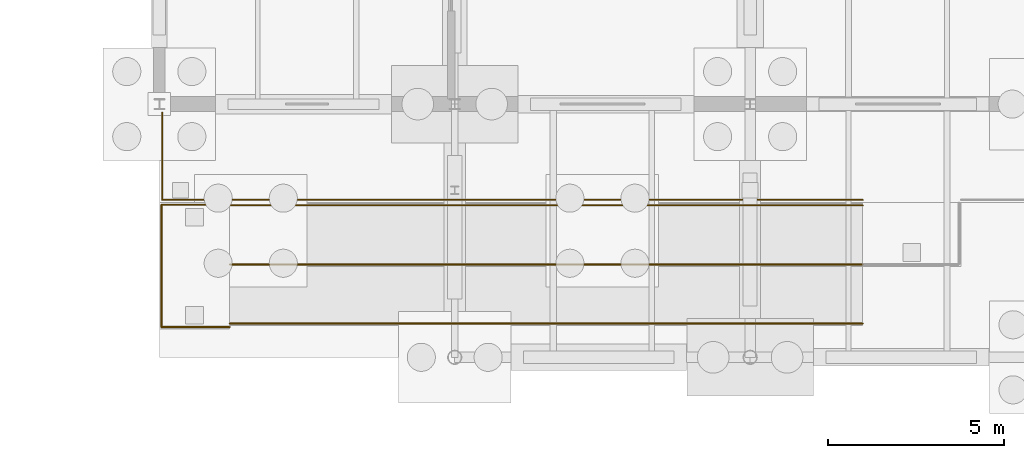
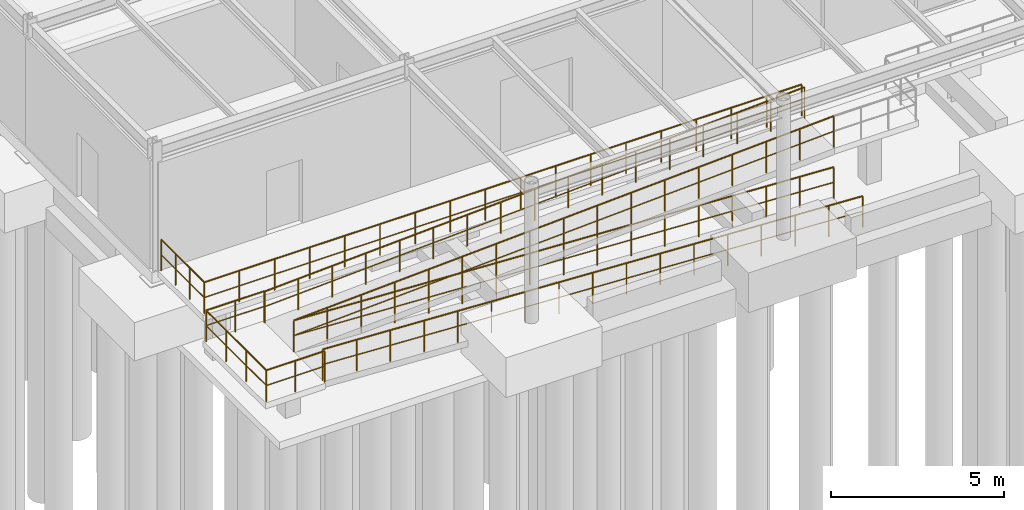
# One storey, part 73 of 93: 7 railings.
"""IFC4 building model written with IfcOpenShell, lengths in metres."""

from ifc_helpers import new_model, si_unit, derived_unit, direction, frame, origin, origin_2d, place, context, subcontext, project, spatial, circle, extrude, material, type_object, element, save


model = new_model("IFC4")

# Units and contexts
model_context = context("Model", 3, precision=1e-05, world=origin(), true_north=direction((0.0, 1.0)))
body_context = subcontext(model_context, "Body", "Model", "MODEL_VIEW")
ifc_project = project(units=[si_unit("LENGTHUNIT", "METRE"), si_unit("AREAUNIT", "SQUARE_METRE"), si_unit("VOLUMEUNIT", "CUBIC_METRE"), si_unit("PLANEANGLEUNIT", "RADIAN"), si_unit("MASSUNIT", "GRAM", prefix="KILO"), derived_unit("THERMALTRANSMITTANCEUNIT", [(si_unit("MASSUNIT", "GRAM", prefix="KILO"), 1), (si_unit("TIMEUNIT", "SECOND"), -3), (si_unit("THERMODYNAMICTEMPERATUREUNIT", "KELVIN"), -1)])], contexts=[model_context])

# Site, building, storey
site_placement = place(None, origin())
site = spatial("IfcSite", under=ifc_project, at=site_placement, CompositionType="ELEMENT")
building_placement = place(site_placement, origin())
building = spatial("IfcBuilding", under=site, at=building_placement, Name="Kharveza Railside Sports Centre", CompositionType="ELEMENT")
storey_placement = place(building_placement, origin())
storey = spatial("IfcBuildingStorey", under=building, at=storey_placement, Name="L00", CompositionType="ELEMENT", Elevation=0.0)

# Railings
ifc_material = material(Name="Steel S275JR", Category="steel")
railing_type = type_object("IfcRailingType", Name="RL-GD110", PredefinedType="GUARDRAIL", material=ifc_material)
railing_1_placement = place(storey_placement, frame((75.679931640625, 4.47998046875, 0.0)))
element("IfcRailing", 1, at=railing_1_placement, inside=storey, type_object=railing_type, Name="RL-PLINTH-S-1", PredefinedType="GUARDRAIL", context=body_context, shape_type="SweptSolid", body=[
    extrude(circle(Radius=0.02392578125, at=origin_2d()), frame((0.0, 0.0, 1.09619140625), z_axis=(1.0, 0.0, 0.0), x_axis=(0.0, 1.0, 0.0)), (0.0, 0.0, 1.0), 19.920166015625),
    extrude(circle(Radius=0.01611328125, at=origin_2d()), frame((0.0, 0.0, 0.56005859375), z_axis=(1.0, 0.0, 0.0), x_axis=(0.0, 1.0, 0.0)), (0.0, 0.0, 1.0), 19.920166015625),
    extrude(circle(Radius=0.02099609375, at=origin_2d()), origin(), (0.0, 0.0, 1.0), 1.072021484375),
    extrude(circle(Radius=0.02099609375, at=origin_2d()), frame((1.171875, 0.0, 0.0)), (0.0, 0.0, 1.0), 1.072021484375),
    extrude(circle(Radius=0.02099609375, at=origin_2d()), frame((2.343505859375, 0.0, 0.0)), (0.0, 0.0, 1.0), 1.072021484375),
    extrude(circle(Radius=0.02099609375, at=origin_2d()), frame((3.515380859375, 0.0, 0.0)), (0.0, 0.0, 1.0), 1.072021484375),
    extrude(circle(Radius=0.02099609375, at=origin_2d()), frame((4.68701171875, 0.0, 0.0)), (0.0, 0.0, 1.0), 1.072021484375),
    extrude(circle(Radius=0.02099609375, at=origin_2d()), frame((5.85888671875, 0.0, 0.0)), (0.0, 0.0, 1.0), 1.072021484375),
    extrude(circle(Radius=0.02099609375, at=origin_2d()), frame((7.03076171875, 0.0, 0.0)), (0.0, 0.0, 1.0), 1.072021484375),
    extrude(circle(Radius=0.02099609375, at=origin_2d()), frame((8.202392578125, 0.0, 0.0)), (0.0, 0.0, 1.0), 1.072021484375),
    extrude(circle(Radius=0.02099609375, at=origin_2d()), frame((9.374267578125, 0.0, 0.0)), (0.0, 0.0, 1.0), 1.072021484375),
    extrude(circle(Radius=0.02099609375, at=origin_2d()), frame((10.5458984375, 0.0, 0.0)), (0.0, 0.0, 1.0), 1.072021484375),
    extrude(circle(Radius=0.02099609375, at=origin_2d()), frame((11.7177734375, 0.0, 0.0)), (0.0, 0.0, 1.0), 1.072021484375),
    extrude(circle(Radius=0.02099609375, at=origin_2d()), frame((12.889404296875, 0.0, 0.0)), (0.0, 0.0, 1.0), 1.072021484375),
    extrude(circle(Radius=0.02099609375, at=origin_2d()), frame((14.061279296875, 0.0, 0.0)), (0.0, 0.0, 1.0), 1.072021484375),
    extrude(circle(Radius=0.02099609375, at=origin_2d()), frame((15.233154296875, 0.0, 0.0)), (0.0, 0.0, 1.0), 1.072021484375),
    extrude(circle(Radius=0.02099609375, at=origin_2d()), frame((16.40478515625, 0.0, 0.0)), (0.0, 0.0, 1.0), 1.072021484375),
    extrude(circle(Radius=0.02099609375, at=origin_2d()), frame((17.57666015625, 0.0, 0.0)), (0.0, 0.0, 1.0), 1.072021484375),
    extrude(circle(Radius=0.02099609375, at=origin_2d()), frame((18.748291015625, 0.0, 0.0)), (0.0, 0.0, 1.0), 1.072021484375),
    extrude(circle(Radius=0.02099609375, at=origin_2d()), frame((19.920166015625, 0.0, 0.0)), (0.0, 0.0, 1.0), 1.072021484375),
])
railing_2_placement = place(storey_placement, frame((75.679931640625, 4.47998046875, 0.0)))
element("IfcRailing", 2, at=railing_2_placement, inside=storey, type_object=railing_type, Name="RL-PORTICO-W", PredefinedType="GUARDRAIL", context=body_context, shape_type="SweptSolid", body=[
    extrude(circle(Radius=0.02392578125, at=origin_2d()), frame((0.0, 0.0, 1.09619140625), z_axis=(0.0, 1.0, 0.0), x_axis=(-1.0, 0.0, 0.0)), (0.0, 0.0, 1.0), 2.47998046875),
    extrude(circle(Radius=0.01611328125, at=origin_2d()), frame((0.0, 0.0, 0.56005859375), z_axis=(0.0, 1.0, 0.0), x_axis=(-1.0, 0.0, 0.0)), (0.0, 0.0, 1.0), 2.47998046875),
    extrude(circle(Radius=0.02099609375, at=origin_2d()), origin(), (0.0, 0.0, 1.0), 1.072021484375),
    extrude(circle(Radius=0.02099609375, at=origin_2d()), frame((0.0, 0.82666015625, 0.0)), (0.0, 0.0, 1.0), 1.072021484375),
    extrude(circle(Radius=0.02099609375, at=origin_2d()), frame((0.0, 1.6533203125, 0.0)), (0.0, 0.0, 1.0), 1.072021484375),
    extrude(circle(Radius=0.02099609375, at=origin_2d()), frame((0.0, 2.47998046875, 0.0)), (0.0, 0.0, 1.0), 1.072021484375),
])
railing_3_placement = place(storey_placement, frame((95.60009765625, 0.9599609375, -1.800048828125)))
element("IfcRailing", 3, at=railing_3_placement, inside=storey, type_object=railing_type, Name="RL-RMP-EXT-W-GD1S", PredefinedType="GUARDRAIL", context=body_context, shape_type="SweptSolid", body=[
    extrude(circle(Radius=0.02392578125, at=origin_2d()), frame((0.0, 0.0, 1.09619140625), z_axis=(-0.998751933465, 0.0, 0.049945724537), x_axis=(0.0, -1.0, 0.0)), (0.0, 0.0, 1.0), 18.0224609375),
    extrude(circle(Radius=0.01611328125, at=origin_2d()), frame((0.0, 0.0, 0.56005859375), z_axis=(-0.998751933465, 0.0, 0.049945724537), x_axis=(0.0, -1.0, 0.0)), (0.0, 0.0, 1.0), 18.0224609375),
    extrude(circle(Radius=0.02099609375, at=origin_2d()), origin(), (0.0, 0.0, 1.0), 1.072021484375),
    extrude(circle(Radius=0.02099609375, at=origin_2d()), frame((-1.125, 0.0, 0.05615234375)), (0.0, 0.0, 1.0), 1.072021484375),
    extrude(circle(Radius=0.02099609375, at=origin_2d()), frame((-2.25, 0.0, 0.112548828125)), (0.0, 0.0, 1.0), 1.072021484375),
    extrude(circle(Radius=0.02099609375, at=origin_2d()), frame((-3.375, 0.0, 0.168701171875)), (0.0, 0.0, 1.0), 1.072021484375),
    extrude(circle(Radius=0.02099609375, at=origin_2d()), frame((-4.5, 0.0, 0.22509765625)), (0.0, 0.0, 1.0), 1.072021484375),
    extrude(circle(Radius=0.02099609375, at=origin_2d()), frame((-5.625, 0.0, 0.28125)), (0.0, 0.0, 1.0), 1.072021484375),
    extrude(circle(Radius=0.02099609375, at=origin_2d()), frame((-6.75, 0.0, 0.337646484375)), (0.0, 0.0, 1.0), 1.072021484375),
    extrude(circle(Radius=0.02099609375, at=origin_2d()), frame((-7.875, 0.0, 0.393798828125)), (0.0, 0.0, 1.0), 1.072021484375),
    extrude(circle(Radius=0.02099609375, at=origin_2d()), frame((-9.0, 0.0, 0.4501953125)), (0.0, 0.0, 1.0), 1.072021484375),
    extrude(circle(Radius=0.02099609375, at=origin_2d()), frame((-10.125, 0.0, 0.50634765625)), (0.0, 0.0, 1.0), 1.072021484375),
    extrude(circle(Radius=0.02099609375, at=origin_2d()), frame((-11.25, 0.0, 0.5625)), (0.0, 0.0, 1.0), 1.072021484375),
    extrude(circle(Radius=0.02099609375, at=origin_2d()), frame((-12.375, 0.0, 0.618896484375)), (0.0, 0.0, 1.0), 1.072021484375),
    extrude(circle(Radius=0.02099609375, at=origin_2d()), frame((-13.5, 0.0, 0.675048828125)), (0.0, 0.0, 1.0), 1.072021484375),
    extrude(circle(Radius=0.02099609375, at=origin_2d()), frame((-14.625, 0.0, 0.7314453125)), (0.0, 0.0, 1.0), 1.072021484375),
    extrude(circle(Radius=0.02099609375, at=origin_2d()), frame((-15.75, 0.0, 0.78759765625)), (0.0, 0.0, 1.0), 1.072021484375),
    extrude(circle(Radius=0.02099609375, at=origin_2d()), frame((-16.875, 0.0, 0.843994140625)), (0.0, 0.0, 1.0), 1.072021484375),
    extrude(circle(Radius=0.02099609375, at=origin_2d()), frame((-18.0, 0.0, 0.900146484375)), (0.0, 0.0, 1.0), 1.072021484375),
])
railing_4_placement = place(storey_placement, frame((77.60009765625, 2.639892578125, -0.89990234375)))
element("IfcRailing", 4, at=railing_4_placement, inside=storey, type_object=railing_type, Name="RL-RMP-EXT-W-GD2S", PredefinedType="GUARDRAIL", context=body_context, shape_type="SweptSolid", body=[
    extrude(circle(Radius=0.02392578125, at=origin_2d()), frame((0.0, 0.0, 1.09619140625), z_axis=(0.998752609117, 0.0, 0.049932211876), x_axis=(0.0, 1.0, 0.0)), (0.0, 0.0, 1.0), 18.0224609375),
    extrude(circle(Radius=0.01611328125, at=origin_2d()), frame((0.0, 0.0, 0.56005859375), z_axis=(0.998752609117, 0.0, 0.049932211876), x_axis=(0.0, 1.0, 0.0)), (0.0, 0.0, 1.0), 18.0224609375),
    extrude(circle(Radius=0.02099609375, at=origin_2d()), origin(), (0.0, 0.0, 1.0), 1.072021484375),
    extrude(circle(Radius=0.02099609375, at=origin_2d()), frame((1.125, 0.0, 0.05615234375)), (0.0, 0.0, 1.0), 1.072021484375),
    extrude(circle(Radius=0.02099609375, at=origin_2d()), frame((2.25, 0.0, 0.112548828125)), (0.0, 0.0, 1.0), 1.072021484375),
    extrude(circle(Radius=0.02099609375, at=origin_2d()), frame((3.375, 0.0, 0.168701171875)), (0.0, 0.0, 1.0), 1.072021484375),
    extrude(circle(Radius=0.02099609375, at=origin_2d()), frame((4.5, 0.0, 0.22509765625)), (0.0, 0.0, 1.0), 1.072021484375),
    extrude(circle(Radius=0.02099609375, at=origin_2d()), frame((5.625, 0.0, 0.28125)), (0.0, 0.0, 1.0), 1.072021484375),
    extrude(circle(Radius=0.02099609375, at=origin_2d()), frame((6.75, 0.0, 0.33740234375)), (0.0, 0.0, 1.0), 1.072021484375),
    extrude(circle(Radius=0.02099609375, at=origin_2d()), frame((7.875, 0.0, 0.393798828125)), (0.0, 0.0, 1.0), 1.072021484375),
    extrude(circle(Radius=0.02099609375, at=origin_2d()), frame((9.0, 0.0, 0.449951171875)), (0.0, 0.0, 1.0), 1.072021484375),
    extrude(circle(Radius=0.02099609375, at=origin_2d()), frame((10.125, 0.0, 0.506103515625)), (0.0, 0.0, 1.0), 1.072021484375),
    extrude(circle(Radius=0.02099609375, at=origin_2d()), frame((11.25, 0.0, 0.5625)), (0.0, 0.0, 1.0), 1.072021484375),
    extrude(circle(Radius=0.02099609375, at=origin_2d()), frame((12.375, 0.0, 0.61865234375)), (0.0, 0.0, 1.0), 1.072021484375),
    extrude(circle(Radius=0.02099609375, at=origin_2d()), frame((13.5, 0.0, 0.6748046875)), (0.0, 0.0, 1.0), 1.072021484375),
    extrude(circle(Radius=0.02099609375, at=origin_2d()), frame((14.625, 0.0, 0.731201171875)), (0.0, 0.0, 1.0), 1.072021484375),
    extrude(circle(Radius=0.02099609375, at=origin_2d()), frame((15.75, 0.0, 0.787353515625)), (0.0, 0.0, 1.0), 1.072021484375),
    extrude(circle(Radius=0.02099609375, at=origin_2d()), frame((16.875, 0.0, 0.84375)), (0.0, 0.0, 1.0), 1.072021484375),
    extrude(circle(Radius=0.02099609375, at=origin_2d()), frame((18.0, 0.0, 0.89990234375)), (0.0, 0.0, 1.0), 1.072021484375),
])
railing_5_placement = place(storey_placement, frame((95.60009765625, 2.639892578125, -1.800048828125)))
element("IfcRailing", 5, at=railing_5_placement, inside=storey, type_object=railing_type, Name="RL-RMP-EXT-W-GD1N", PredefinedType="GUARDRAIL", context=body_context, shape_type="SweptSolid", body=[
    extrude(circle(Radius=0.02392578125, at=origin_2d()), frame((0.0, 0.0, 1.09619140625), z_axis=(-0.998751933465, 0.0, 0.049945724537), x_axis=(0.0, -1.0, 0.0)), (0.0, 0.0, 1.0), 18.0224609375),
    extrude(circle(Radius=0.01611328125, at=origin_2d()), frame((0.0, 0.0, 0.56005859375), z_axis=(-0.998751933465, 0.0, 0.049945724537), x_axis=(0.0, -1.0, 0.0)), (0.0, 0.0, 1.0), 18.0224609375),
    extrude(circle(Radius=0.02099609375, at=origin_2d()), origin(), (0.0, 0.0, 1.0), 1.072021484375),
    extrude(circle(Radius=0.02099609375, at=origin_2d()), frame((-1.125, 0.0, 0.05615234375)), (0.0, 0.0, 1.0), 1.072021484375),
    extrude(circle(Radius=0.02099609375, at=origin_2d()), frame((-2.25, 0.0, 0.112548828125)), (0.0, 0.0, 1.0), 1.072021484375),
    extrude(circle(Radius=0.02099609375, at=origin_2d()), frame((-3.375, 0.0, 0.168701171875)), (0.0, 0.0, 1.0), 1.072021484375),
    extrude(circle(Radius=0.02099609375, at=origin_2d()), frame((-4.5, 0.0, 0.22509765625)), (0.0, 0.0, 1.0), 1.072021484375),
    extrude(circle(Radius=0.02099609375, at=origin_2d()), frame((-5.625, 0.0, 0.28125)), (0.0, 0.0, 1.0), 1.072021484375),
    extrude(circle(Radius=0.02099609375, at=origin_2d()), frame((-6.75, 0.0, 0.337646484375)), (0.0, 0.0, 1.0), 1.072021484375),
    extrude(circle(Radius=0.02099609375, at=origin_2d()), frame((-7.875, 0.0, 0.393798828125)), (0.0, 0.0, 1.0), 1.072021484375),
    extrude(circle(Radius=0.02099609375, at=origin_2d()), frame((-9.0, 0.0, 0.4501953125)), (0.0, 0.0, 1.0), 1.072021484375),
    extrude(circle(Radius=0.02099609375, at=origin_2d()), frame((-10.125, 0.0, 0.50634765625)), (0.0, 0.0, 1.0), 1.072021484375),
    extrude(circle(Radius=0.02099609375, at=origin_2d()), frame((-11.25, 0.0, 0.5625)), (0.0, 0.0, 1.0), 1.072021484375),
    extrude(circle(Radius=0.02099609375, at=origin_2d()), frame((-12.375, 0.0, 0.618896484375)), (0.0, 0.0, 1.0), 1.072021484375),
    extrude(circle(Radius=0.02099609375, at=origin_2d()), frame((-13.5, 0.0, 0.675048828125)), (0.0, 0.0, 1.0), 1.072021484375),
    extrude(circle(Radius=0.02099609375, at=origin_2d()), frame((-14.625, 0.0, 0.7314453125)), (0.0, 0.0, 1.0), 1.072021484375),
    extrude(circle(Radius=0.02099609375, at=origin_2d()), frame((-15.75, 0.0, 0.78759765625)), (0.0, 0.0, 1.0), 1.072021484375),
    extrude(circle(Radius=0.02099609375, at=origin_2d()), frame((-16.875, 0.0, 0.843994140625)), (0.0, 0.0, 1.0), 1.072021484375),
    extrude(circle(Radius=0.02099609375, at=origin_2d()), frame((-18.0, 0.0, 0.900146484375)), (0.0, 0.0, 1.0), 1.072021484375),
])
railing_6_placement = place(storey_placement, frame((77.60009765625, 4.320068359375, -0.89990234375)))
element("IfcRailing", 6, at=railing_6_placement, inside=storey, type_object=railing_type, Name="RL-RMP-EXT-W-GD2N", PredefinedType="GUARDRAIL", context=body_context, shape_type="SweptSolid", body=[
    extrude(circle(Radius=0.02392578125, at=origin_2d()), frame((0.0, 0.0, 1.09619140625), z_axis=(0.998752609117, 0.0, 0.049932211876), x_axis=(0.0, 1.0, 0.0)), (0.0, 0.0, 1.0), 18.0224609375),
    extrude(circle(Radius=0.01611328125, at=origin_2d()), frame((0.0, 0.0, 0.56005859375), z_axis=(0.998752609117, 0.0, 0.049932211876), x_axis=(0.0, 1.0, 0.0)), (0.0, 0.0, 1.0), 18.0224609375),
    extrude(circle(Radius=0.02099609375, at=origin_2d()), origin(), (0.0, 0.0, 1.0), 1.072021484375),
    extrude(circle(Radius=0.02099609375, at=origin_2d()), frame((1.125, 0.0, 0.05615234375)), (0.0, 0.0, 1.0), 1.072021484375),
    extrude(circle(Radius=0.02099609375, at=origin_2d()), frame((2.25, 0.0, 0.112548828125)), (0.0, 0.0, 1.0), 1.072021484375),
    extrude(circle(Radius=0.02099609375, at=origin_2d()), frame((3.375, 0.0, 0.168701171875)), (0.0, 0.0, 1.0), 1.072021484375),
    extrude(circle(Radius=0.02099609375, at=origin_2d()), frame((4.5, 0.0, 0.22509765625)), (0.0, 0.0, 1.0), 1.072021484375),
    extrude(circle(Radius=0.02099609375, at=origin_2d()), frame((5.625, 0.0, 0.28125)), (0.0, 0.0, 1.0), 1.072021484375),
    extrude(circle(Radius=0.02099609375, at=origin_2d()), frame((6.75, 0.0, 0.33740234375)), (0.0, 0.0, 1.0), 1.072021484375),
    extrude(circle(Radius=0.02099609375, at=origin_2d()), frame((7.875, 0.0, 0.393798828125)), (0.0, 0.0, 1.0), 1.072021484375),
    extrude(circle(Radius=0.02099609375, at=origin_2d()), frame((9.0, 0.0, 0.449951171875)), (0.0, 0.0, 1.0), 1.072021484375),
    extrude(circle(Radius=0.02099609375, at=origin_2d()), frame((10.125, 0.0, 0.506103515625)), (0.0, 0.0, 1.0), 1.072021484375),
    extrude(circle(Radius=0.02099609375, at=origin_2d()), frame((11.25, 0.0, 0.5625)), (0.0, 0.0, 1.0), 1.072021484375),
    extrude(circle(Radius=0.02099609375, at=origin_2d()), frame((12.375, 0.0, 0.61865234375)), (0.0, 0.0, 1.0), 1.072021484375),
    extrude(circle(Radius=0.02099609375, at=origin_2d()), frame((13.5, 0.0, 0.6748046875)), (0.0, 0.0, 1.0), 1.072021484375),
    extrude(circle(Radius=0.02099609375, at=origin_2d()), frame((14.625, 0.0, 0.731201171875)), (0.0, 0.0, 1.0), 1.072021484375),
    extrude(circle(Radius=0.02099609375, at=origin_2d()), frame((15.75, 0.0, 0.787353515625)), (0.0, 0.0, 1.0), 1.072021484375),
    extrude(circle(Radius=0.02099609375, at=origin_2d()), frame((16.875, 0.0, 0.84375)), (0.0, 0.0, 1.0), 1.072021484375),
    extrude(circle(Radius=0.02099609375, at=origin_2d()), frame((18.0, 0.0, 0.89990234375)), (0.0, 0.0, 1.0), 1.072021484375),
])
railing_7_placement = place(storey_placement, frame((77.60009765625, 0.860107421875, -0.89990234375)))
element("IfcRailing", 7, at=railing_7_placement, inside=storey, type_object=railing_type, Name="RL-RMP-EXT-W-LND1", PredefinedType="GUARDRAIL", context=body_context, shape_type="SweptSolid", body=[
    extrude(circle(Radius=0.02392578125, at=origin_2d()), frame((0.0, 0.0, 1.09619140625), z_axis=(-1.0, 0.0, 0.0), x_axis=(0.0, -1.0, 0.0)), (0.0, 0.0, 1.0), 1.940185546875),
    extrude(circle(Radius=0.01611328125, at=origin_2d()), frame((0.0, 0.0, 0.56005859375), z_axis=(-1.0, 0.0, 0.0), x_axis=(0.0, -1.0, 0.0)), (0.0, 0.0, 1.0), 1.940185546875),
    extrude(circle(Radius=0.02392578125, at=origin_2d()), frame((-1.940185546875, 0.0, 1.09619140625), z_axis=(0.0, 1.0, 0.0), x_axis=(-1.0, 0.0, 0.0)), (0.0, 0.0, 1.0), 3.47998046875),
    extrude(circle(Radius=0.01611328125, at=origin_2d()), frame((-1.940185546875, 0.0, 0.56005859375), z_axis=(0.0, 1.0, 0.0), x_axis=(-1.0, 0.0, 0.0)), (0.0, 0.0, 1.0), 3.47998046875),
    extrude(circle(Radius=0.02392578125, at=origin_2d()), frame((-1.940185546875, 3.47998046875, 1.09619140625), z_axis=(1.0, 0.0, 0.0), x_axis=(0.0, 1.0, 0.0)), (0.0, 0.0, 1.0), 1.940185546875),
    extrude(circle(Radius=0.01611328125, at=origin_2d()), frame((-1.940185546875, 3.47998046875, 0.56005859375), z_axis=(1.0, 0.0, 0.0), x_axis=(0.0, 1.0, 0.0)), (0.0, 0.0, 1.0), 1.940185546875),
    extrude(circle(Radius=0.02099609375, at=origin_2d()), origin(), (0.0, 0.0, 1.0), 1.072021484375),
    extrude(circle(Radius=0.02099609375, at=origin_2d()), frame((-0.97021484375, 0.0, 0.0)), (0.0, 0.0, 1.0), 1.072021484375),
    extrude(circle(Radius=0.02099609375, at=origin_2d()), frame((-1.940185546875, 0.0, 0.0)), (0.0, 0.0, 1.0), 1.072021484375),
    extrude(circle(Radius=0.02099609375, at=origin_2d()), frame((-1.940185546875, 1.159912109375, 0.0)), (0.0, 0.0, 1.0), 1.072021484375),
    extrude(circle(Radius=0.02099609375, at=origin_2d()), frame((-1.940185546875, 2.320068359375, 0.0)), (0.0, 0.0, 1.0), 1.072021484375),
    extrude(circle(Radius=0.02099609375, at=origin_2d()), frame((-1.940185546875, 3.47998046875, 0.0)), (0.0, 0.0, 1.0), 1.072021484375),
    extrude(circle(Radius=0.02099609375, at=origin_2d()), frame((-0.97021484375, 3.47998046875, 0.0)), (0.0, 0.0, 1.0), 1.072021484375),
    extrude(circle(Radius=0.02099609375, at=origin_2d()), frame((0.0, 3.47998046875, 0.0)), (0.0, 0.0, 1.0), 1.072021484375),
])

save(model, "model.ifc")
